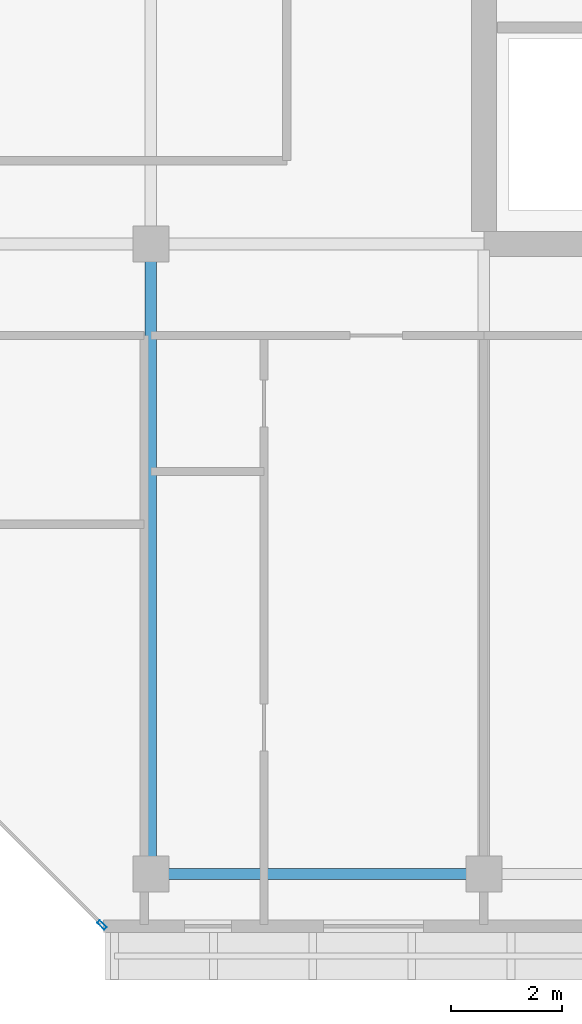
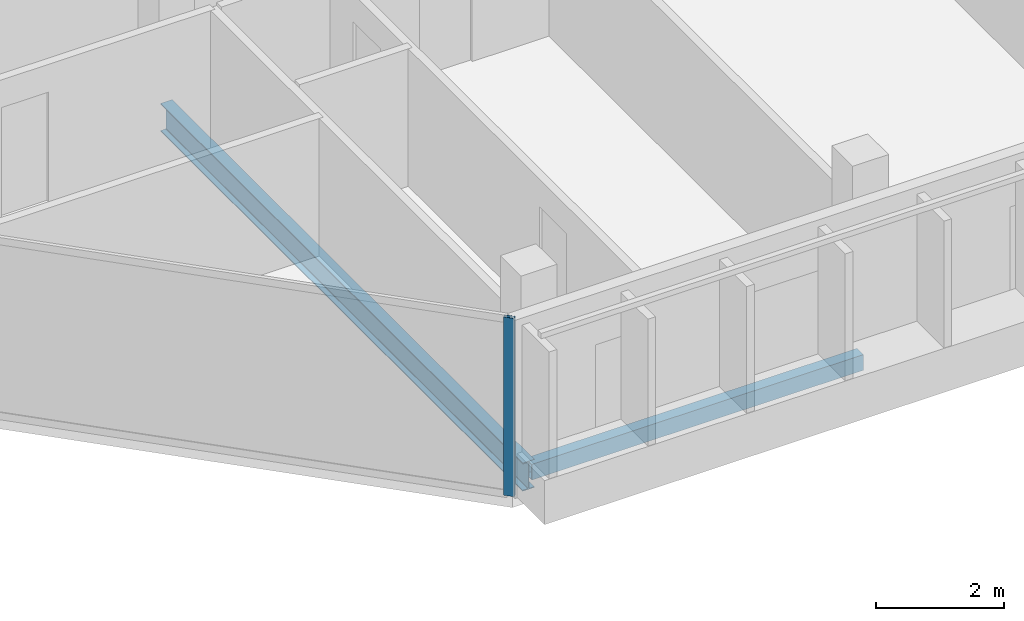
# One storey, part 10 of 28: 2 beams, 1 member, 1 element without a shape of its own.
"""IFC4 building model written with IfcOpenShell, lengths in metres."""

from ifc_helpers import new_model, si_unit, direction, frame, origin, origin_2d, place, context, subcontext, project, spatial, hollow_rectangle, i_section, extrude, material, layer, layer_set, material_profile, profile_set, type_object, element, aggregate, save


model = new_model("IFC4")

# Units and contexts
model_context = context("Model", 3, precision=1e-05, world=origin(), true_north=direction((0.0, 1.0)))
body_context = subcontext(model_context, "Body", "Model", "MODEL_VIEW")
ifc_project = project(units=[si_unit("LENGTHUNIT", "METRE"), si_unit("AREAUNIT", "SQUARE_METRE"), si_unit("VOLUMEUNIT", "CUBIC_METRE"), si_unit("PLANEANGLEUNIT", "RADIAN"), si_unit("MASSUNIT", "GRAM", prefix="KILO")], contexts=[model_context])

# Site, building, storey
site_placement = place(None, origin())
site = spatial("IfcSite", under=ifc_project, at=site_placement, CompositionType="ELEMENT")
building_placement = place(site_placement, origin())
building = spatial("IfcBuilding", under=site, at=building_placement, Name="Tanjung Sevakor Pilgrim Tower", CompositionType="ELEMENT")
storey_placement = place(building_placement, frame((0.0, 0.0, 242.550048828125)))
storey = spatial("IfcBuildingStorey", under=building, at=storey_placement, Name="L68", CompositionType="ELEMENT", Elevation=242.550048828125)

# Beams
ifc_material_1 = material(Name="Steel S355J2", Category="steel")
ifc_material_profile_1 = material_profile(ifc_material_1, i_section(OverallWidth=0.210693359375, OverallDepth=0.53955078125, WebThickness=0.01171875, FlangeThickness=0.018798828125, FilletRadius=0.0126953125, at=origin_2d()))
ifc_profile_set_1 = profile_set([ifc_material_profile_1], Name="Steel S355J2")
beam_type_1 = type_object("IfcBeamType", Name="BM-B-G6-UB_533x210x109", PredefinedType="BEAM", material=ifc_profile_set_1)
beam_1_placement = place(storey_placement, frame((72.0, 13.25, -0.48974609375), z_axis=(0.0, 1.0, 0.0), x_axis=(-1.0, 0.0, 0.0)))
element("IfcBeam", 1, at=beam_1_placement, inside=storey, type_object=beam_type_1, Name="L68 EAST Girder 002", PredefinedType="BEAM", context=body_context, shape_type="SweptSolid", body=[
    extrude(i_section(OverallWidth=0.210693359375, OverallDepth=0.53955078125, WebThickness=0.01171875, FlangeThickness=0.018798828125, FilletRadius=0.0126953125, at=origin_2d()), origin(), (0.0, 0.0, 1.0), 11.35009765625),
])
ifc_material_2 = material(Name="Steel S355J2", Category="steel")
ifc_material_profile_2 = material_profile(ifc_material_2, hollow_rectangle(XDim=0.199951171875, YDim=0.300048828125, WallThickness=0.012451171875, at=origin_2d()))
ifc_profile_set_2 = profile_set([ifc_material_profile_2], Name="Steel S355J2")
beam_type_2 = type_object("IfcBeamType", Name="BM-B-SP3-RHS_300x200x12.5", PredefinedType="SPANDREL", material=ifc_profile_set_2)
beam_2_placement = place(storey_placement, frame((72.0, 13.25, -0.3701171875), z_axis=(1.0, 0.0, 0.0), x_axis=(0.0, 1.0, 0.0)))
element("IfcBeam", 2, at=beam_2_placement, inside=storey, type_object=beam_type_2, Name="L68 Spandrel EAST S-01", PredefinedType="SPANDREL", context=body_context, shape_type="SweptSolid", body=[
    extrude(hollow_rectangle(XDim=0.199951171875, YDim=0.300048828125, WallThickness=0.012451171875, at=origin_2d()), origin(), (0.0, 0.0, 1.0), 6.0),
])

# Curtain wall, member
ifc_material_3 = material(Name="Aluminium 6063-T6 and Low-E Glass", Category="aluminium")
ifc_layer = layer(ifc_material_3, 0.179931640625)
ifc_layer_set = layer_set([ifc_layer], Name="CW-SYS-CHAM")
curtain_wall_type = type_object("IfcCurtainWallType", Name="CW-SYS-CHAM", PredefinedType="NOTDEFINED", material=ifc_layer_set)
curtain_wall_placement = place(storey_placement, origin())
curtain_wall = element("IfcCurtainWall", 3, at=curtain_wall_placement, inside=storey, type_object=curtain_wall_type, Name="L68 Curtain Wall CW-CHM-L68-EAST-7", PredefinedType="NOTDEFINED")
ifc_material_4 = material(Name="Aluminium 6063-T6", Category="aluminium")
ifc_material_profile_3 = material_profile(ifc_material_4, hollow_rectangle(XDim=0.06494140625, YDim=0.179931640625, WallThickness=0.00390625, at=origin_2d()))
ifc_profile_set_3 = profile_set([ifc_material_profile_3], Name="Aluminium 6063-T6")
member_type = type_object("IfcMemberType", Name="TYPE-CWM-1", PredefinedType="MULLION", material=ifc_profile_set_3)
member_placement = place(storey_placement, frame((71.12255859375, 12.3330078125, 0.0), z_axis=(0.0, 0.0, 1.0), x_axis=(0.707106781187, 0.707106781187, 0.0)))
member = element("IfcMember", 4, at=member_placement, type_object=member_type, Name="CW-CHM mullion 2", PredefinedType="MULLION", context=body_context, shape_type="SweptSolid", body=[
    extrude(hollow_rectangle(XDim=0.06494140625, YDim=0.179931640625, WallThickness=0.00390625, at=origin_2d()), origin(), (0.0, 0.0, 1.0), 3.409912109375),
])
aggregate(curtain_wall, [member])

save(model, "model.ifc")
